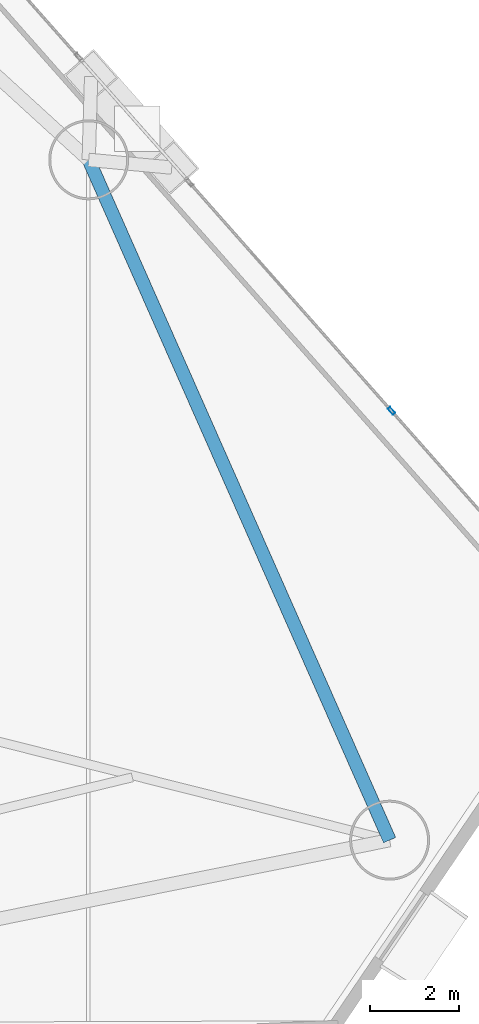
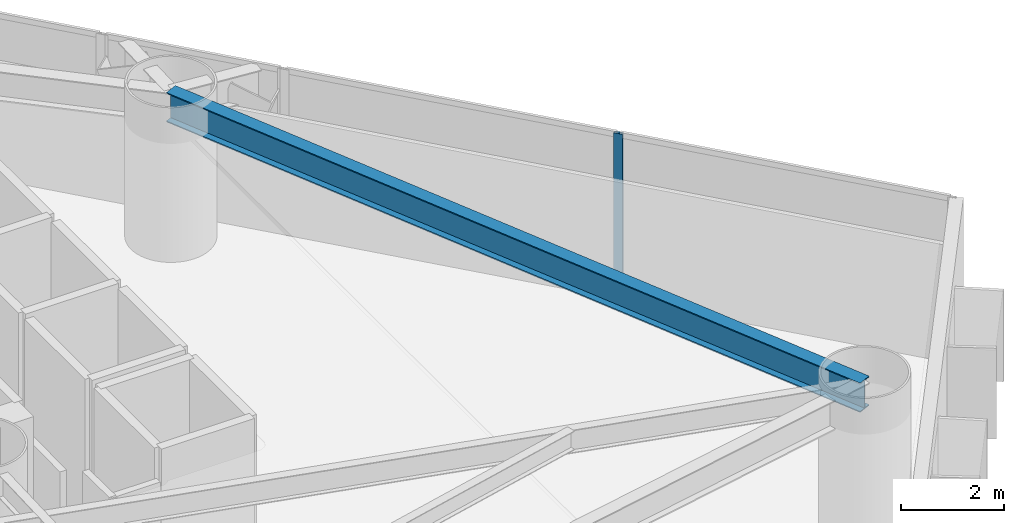
# One storey, part 13 of 22: 1 beam, 1 member, 1 element without a shape of its own.
"""IFC4 building model written with IfcOpenShell, lengths in metres."""

from ifc_helpers import new_model, si_unit, direction, frame, origin, origin_2d, place, context, subcontext, project, spatial, hollow_rectangle, i_section, extrude, material, layer, layer_set, material_profile, profile_set, type_object, element, aggregate, save


model = new_model("IFC4")

# Units and contexts
model_context = context("Model", 3, precision=1e-05, world=origin(), true_north=direction((0.0, 1.0)))
body_context = subcontext(model_context, "Body", "Model", "MODEL_VIEW")
ifc_project = project(units=[si_unit("LENGTHUNIT", "METRE"), si_unit("AREAUNIT", "SQUARE_METRE"), si_unit("VOLUMEUNIT", "CUBIC_METRE"), si_unit("PLANEANGLEUNIT", "RADIAN"), si_unit("MASSUNIT", "GRAM", prefix="KILO")], contexts=[model_context])

# Site, building, storey
site_placement = place(None, origin())
site = spatial("IfcSite", under=ifc_project, at=site_placement, CompositionType="ELEMENT")
building_placement = place(site_placement, origin())
building = spatial("IfcBuilding", under=site, at=building_placement, Name="Qianvela Tower", CompositionType="ELEMENT")
storey_placement = place(building_placement, frame((0.0, 0.0, 40.5)))
storey = spatial("IfcBuildingStorey", under=building, at=storey_placement, Name="L09", CompositionType="ELEMENT", Elevation=40.5)

# Beam
ifc_material_1 = material(Name="Steel Q355B", Category="steel")
ifc_material_profile_1 = material_profile(ifc_material_1, i_section(OverallWidth=0.300048828125, OverallDepth=0.699951171875, WebThickness=0.012939453125, FlangeThickness=0.02392578125, at=origin_2d()), Name="HN700x300x13x24")
ifc_profile_set_1 = profile_set([ifc_material_profile_1], Name="Steel Q355B")
beam_type = type_object("IfcBeamType", Name="BM-HN700-SPAND", PredefinedType="SPANDREL", material=ifc_profile_set_1)
beam_placement = place(storey_placement, frame((54.511962890625, 17.31689453125, 3.16796875), z_axis=(-0.404490777912, 0.914542076989, 0.0), x_axis=(-0.914542076989, -0.404490777912, 0.0)))
element("IfcBeam", 1, at=beam_placement, inside=storey, type_object=beam_type, Name="L09 Perimeter Ring Spandrel Girder 1", PredefinedType="SPANDREL", context=body_context, shape_type="SweptSolid", body=[
    extrude(i_section(OverallWidth=0.300048828125, OverallDepth=0.699951171875, WebThickness=0.012939453125, FlangeThickness=0.02392578125, at=origin_2d()), origin(), (0.0, 0.0, 1.0), 16.751708984375),
])

# Curtain wall, member
ifc_material_2 = material(Name="Anodised Architectural Aluminium and Low-E Glass", Category="aluminium")
ifc_layer = layer(ifc_material_2, 0.179931640625)
ifc_layer_set = layer_set([ifc_layer], Name="Anodised Architectural Aluminium and Low-E Glass")
curtain_wall_type = type_object("IfcCurtainWallType", Name="CW-COLIV-Z12", PredefinedType="USERDEFINED", material=ifc_layer_set)
curtain_wall_placement = place(storey_placement, origin())
curtain_wall = element("IfcCurtainWall", 2, at=curtain_wall_placement, inside=storey, type_object=curtain_wall_type, Name="L09 CW-COLIV-Z12 Curtain Wall 02A", ObjectType="CURTAIN_WALL_SYSTEM", PredefinedType="USERDEFINED")
ifc_material_3 = material(Name="Anodised Architectural Aluminium 6063-T6", Category="aluminium")
ifc_material_profile_2 = material_profile(ifc_material_3, hollow_rectangle(XDim=0.070068359375, YDim=0.179931640625, WallThickness=0.0048828125, at=origin_2d()), Name="ALU-MULL-70x180")
ifc_profile_set_2 = profile_set([ifc_material_profile_2], Name="Anodised Architectural Aluminium 6063-T6")
member_type = type_object("IfcMemberType", Name="CW-COLIV-Z12-MULL", PredefinedType="MULLION", material=ifc_profile_set_2)
member_placement = place(storey_placement, frame((54.554931640625, 26.98583984375, 0.0), z_axis=(0.0, 0.0, 1.0), x_axis=(-0.749106451782, -0.662449638765, 0.0)))
member = element("IfcMember", 3, at=member_placement, type_object=member_type, Name="CW-3 mullion 2", PredefinedType="MULLION", context=body_context, shape_type="SweptSolid", body=[
    extrude(hollow_rectangle(XDim=0.070068359375, YDim=0.179931640625, WallThickness=0.0048828125, at=origin_2d()), origin(), (0.0, 0.0, 1.0), 3.52001953125),
])
aggregate(curtain_wall, [member])

save(model, "model.ifc")
